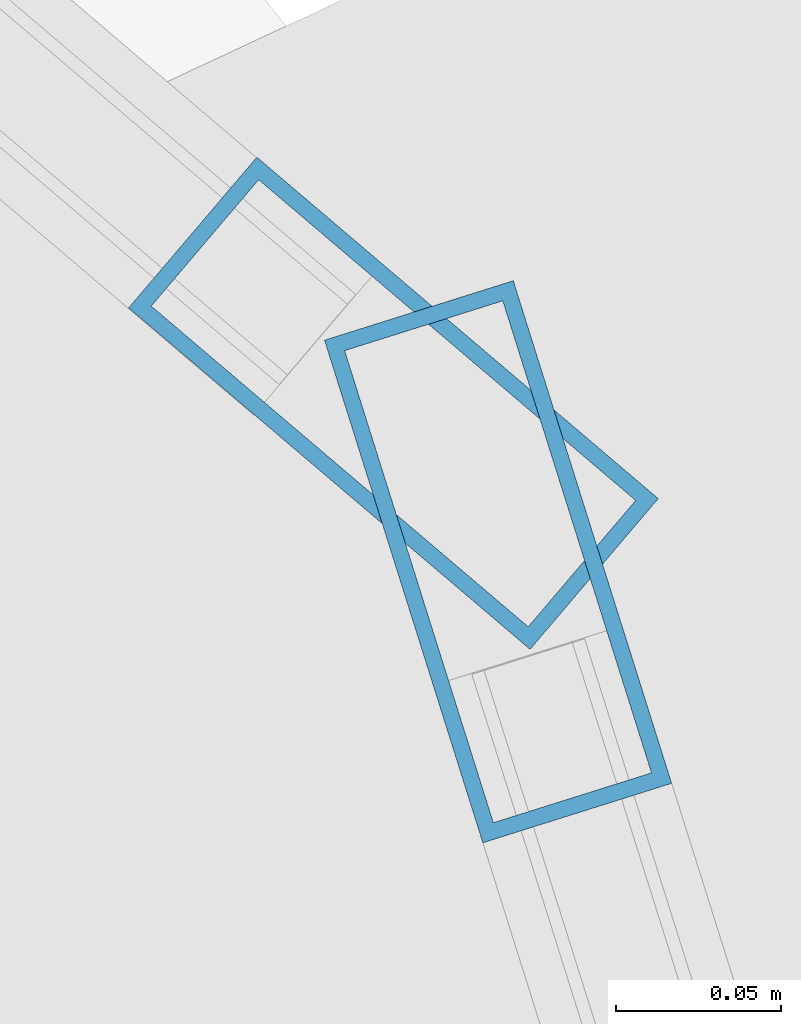
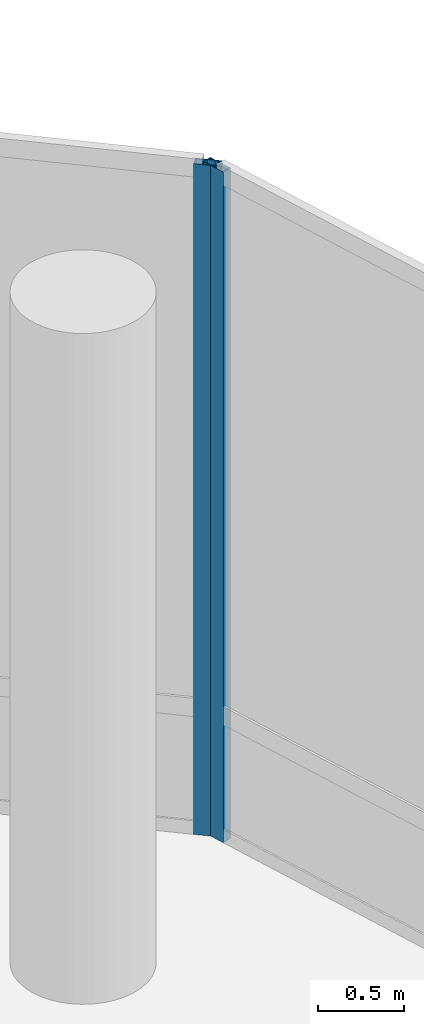
# One storey, part 16 of 31: 2 members, 2 elements without a shape of their own.
"""IFC4 building model written with IfcOpenShell, lengths in metres."""

import ifcopenshell
import ifcopenshell.guid

model = None  # the IFC model being written
_history = None  # IfcOwnerHistory: only IFC2X3 demands one
_inside = {}  # id of a spatial element -> (the spatial element, [elements in it])
_under = {}  # id of a project, library or spatial element -> (it, [spatial elements below it])
_declared = {}  # id of a project -> (the project, [libraries it declares])
_typed = {}  # id of a type object -> (the type object, [elements of that type])
_made_of = {}  # id of a material, layer set ... -> (it, [elements and type objects made of it])


def new_model(schema):
    """Start an empty IFC model of exactly this schema.

    Asked for "IFC4X3", IfcOpenShell would pick the latest addendum, in which some entities
    have other attributes; the version numbers below select the first issue.
    IFC2X3 requires an IfcOwnerHistory on every rooted entity: one is made here for all.
    """
    global model, _history
    if schema == "IFC4X3":
        model = ifcopenshell.file(schema_version=(4, 3, 0, 0))
    else:
        model = ifcopenshell.file(schema=schema)
    _inside.clear()
    _under.clear()
    _declared.clear()
    _typed.clear()
    _made_of.clear()
    _history = None
    if model.schema == "IFC2X3":
        org = make("IfcOrganization", Name="unknown")
        user = make(
            "IfcPersonAndOrganization",
            ThePerson=make("IfcPerson", FamilyName="unknown"),
            TheOrganization=org,
        )
        app = make(
            "IfcApplication",
            ApplicationDeveloper=org,
            Version="unknown",
            ApplicationFullName="unknown",
            ApplicationIdentifier="unknown",
        )
        _history = make(
            "IfcOwnerHistory",
            OwningUser=user,
            OwningApplication=app,
            ChangeAction="ADDED",
            CreationDate=0,
        )
    return model


def make(cls, **values):
    """One entity of the class cls with the attributes given. An attribute that is None is left unset."""
    return model.create_entity(
        cls, **{name: value for name, value in values.items() if value is not None}
    )


def rooted(cls, **values):
    """An entity with a GlobalId (a new one), such as an element, a storey or a relation."""
    return make(cls, GlobalId=ifcopenshell.guid.new(), OwnerHistory=_history, **values)


def si_unit(unit_type, name, prefix=None):
    """IfcSIUnit, for example si_unit("LENGTHUNIT", "METRE", prefix="MILLI")."""
    return make("IfcSIUnit", UnitType=unit_type, Prefix=prefix, Name=name)


def assignment(units):
    """IfcUnitAssignment: the units of a project."""
    return None if units is None else make("IfcUnitAssignment", Units=units)


def point(xyz):
    """IfcCartesianPoint."""
    return None if xyz is None else make("IfcCartesianPoint", Coordinates=xyz)


def direction(xyz):
    """IfcDirection."""
    return None if xyz is None else make("IfcDirection", DirectionRatios=xyz)


def frame(location, z_axis=None, x_axis=None):
    """IfcAxis2Placement3D, a coordinate frame: its origin and axes. An axis left out is left unset."""
    return make(
        "IfcAxis2Placement3D",
        Location=point(location),
        Axis=direction(z_axis),
        RefDirection=direction(x_axis),
    )


def frame_2d(location, x_axis=None):
    """IfcAxis2Placement2D, a coordinate frame in the plane: its origin and x axis."""
    return make(
        "IfcAxis2Placement2D", Location=point(location), RefDirection=direction(x_axis)
    )


def origin():
    """The frame at (0, 0, 0) with its axes left unset."""
    return frame((0.0, 0.0, 0.0))


def origin_2d():
    """The frame at (0, 0) in the plane with its x axis left unset."""
    return frame_2d((0.0, 0.0))


def place(relative_to, where):
    """IfcLocalPlacement: puts the frame where relative to a parent placement (None: the world)."""
    return make(
        "IfcLocalPlacement", PlacementRelTo=relative_to, RelativePlacement=where
    )


def context(
    kind, dimensions, precision=None, world=None, true_north=None, identifier=None
):
    """IfcGeometricRepresentationContext, for example the 3D "Model" context."""
    return make(
        "IfcGeometricRepresentationContext",
        ContextIdentifier=identifier,
        ContextType=kind,
        CoordinateSpaceDimension=dimensions,
        Precision=precision,
        WorldCoordinateSystem=world,
        TrueNorth=true_north,
    )


def subcontext(parent, identifier, kind, view, scale=None):
    """IfcGeometricRepresentationSubContext, for example "Body" below "Model"."""
    return make(
        "IfcGeometricRepresentationSubContext",
        ContextIdentifier=identifier,
        ContextType=kind,
        ParentContext=parent,
        TargetScale=scale,
        TargetView=view,
    )


def project(units=None, contexts=None):
    """IfcProject with its units and contexts."""
    return rooted(
        "IfcProject",
        Name="project",
        RepresentationContexts=contexts,
        UnitsInContext=assignment(units),
    )


def spatial(cls, under=None, at=None, **own):
    """A site, building, storey or space (cls), placed at a placement, below another one or the project."""
    s = rooted(cls, ObjectPlacement=at, **own)
    if under is not None:
        _under.setdefault(under.id(), (under, []))[1].append(s)
    return s


def profile(cls, at=None, kind="AREA", **sizes):
    """A parametric profile (cls). Its sizes go by their IFC names, for example OverallWidth=200.0."""
    return make(cls, ProfileType=kind, Position=at, **sizes)


def hollow_rectangle(**sizes):
    """IfcRectangleHollowProfileDef."""
    return profile("IfcRectangleHollowProfileDef", **sizes)


def extrude(swept, where, along, depth):
    """IfcExtrudedAreaSolid: the profile swept, set in the frame where, extruded along a direction by depth."""
    return make(
        "IfcExtrudedAreaSolid",
        SweptArea=swept,
        Position=where,
        ExtrudedDirection=direction(along),
        Depth=depth,
    )


def shape(context_of_items, identifier, shape_type, items):
    """IfcShapeRepresentation: the items that make up one representation, for example the "Body"."""
    return make(
        "IfcShapeRepresentation",
        ContextOfItems=context_of_items,
        RepresentationIdentifier=identifier,
        RepresentationType=shape_type,
        Items=items,
    )


def material(Name=None, Category=None):
    """IfcMaterial."""
    return make("IfcMaterial", Name=Name, Category=Category)


def layer(
    of_material, thickness, ventilated=None, Name=None, Category=None, Priority=None
):
    """IfcMaterialLayer: one layer of a wall or slab, of a material (None: an air gap)."""
    return make(
        "IfcMaterialLayer",
        Material=of_material,
        LayerThickness=thickness,
        IsVentilated=ventilated,
        Name=Name,
        Category=Category,
        Priority=Priority,
    )


def layer_set(layers, Name=None):
    """IfcMaterialLayerSet."""
    return make("IfcMaterialLayerSet", MaterialLayers=layers, LayerSetName=Name)


def material_profile(
    of_material, cross_section, Name=None, Category=None, Priority=None
):
    """IfcMaterialProfile: a cross section and its material."""
    return make(
        "IfcMaterialProfile",
        Name=Name,
        Material=of_material,
        Profile=cross_section,
        Priority=Priority,
        Category=Category,
    )


def profile_set(profiles, Name=None, composite=None):
    """IfcMaterialProfileSet."""
    return make(
        "IfcMaterialProfileSet",
        Name=Name,
        MaterialProfiles=profiles,
        CompositeProfile=composite,
    )


def made_of(thing, what):
    """Note that an element or type object is made of a material, layer set ...; save() writes the relation."""
    if what is not None:
        _made_of.setdefault(what.id(), (what, []))[1].append(thing)
    return thing


def type_object(cls, material=None, **own):
    """A type object (cls), such as IfcWallType, which elements share."""
    return made_of(rooted(cls, **own), material)


def element(
    cls,
    number,
    at=None,
    inside=None,
    cuts=None,
    type_object=None,
    material=None,
    context=None,
    identifier="Body",
    shape_type=None,
    held_by="IfcProductDefinitionShape",
    body=None,
    shapes=None,
    **own,
):
    """One element of the class cls, such as IfcWall. Its Tag is "e" and its number.

    at: its placement. inside: the storey or other place that contains it. cuts: it is an
    opening in that element (IfcRelVoidsElement). A single representation is given by context,
    identifier, shape_type and body (its items); several are given by shapes. held_by: the class
    of the entity that holds the representations. save() writes the other relations.
    """
    e = rooted(cls, Tag="e%d" % number, ObjectPlacement=at, **own)
    if body is not None:
        shapes = [shape(context, identifier, shape_type, body)]
    if shapes is not None:
        e.Representation = make(held_by, Representations=shapes)
    if inside is not None:
        _inside.setdefault(inside.id(), (inside, []))[1].append(e)
    if cuts is not None:
        rooted(
            "IfcRelVoidsElement", RelatingBuildingElement=cuts, RelatedOpeningElement=e
        )
    if type_object is not None:
        _typed.setdefault(type_object.id(), (type_object, []))[1].append(e)
    return made_of(e, material)


def aggregate(whole, parts):
    """IfcRelAggregates: a whole, such as a stair, and the parts it consists of."""
    return rooted("IfcRelAggregates", RelatingObject=whole, RelatedObjects=parts)


def save(model, path):
    """Write the relations noted so far, then the file.

    IfcRelAggregates (storeys below a building ...), IfcRelContainedInSpatialStructure (elements
    in a storey), IfcRelDefinesByType, IfcRelAssociatesMaterial and IfcRelDeclares: one each for
    every whole, place, type object, material and project.
    """
    for whole, parts in _under.values():
        aggregate(whole, parts)
    for where, things in _inside.values():
        rooted(
            "IfcRelContainedInSpatialStructure",
            RelatedElements=things,
            RelatingStructure=where,
        )
    for kind, things in _typed.values():
        rooted("IfcRelDefinesByType", RelatedObjects=things, RelatingType=kind)
    for what, things in _made_of.values():
        rooted("IfcRelAssociatesMaterial", RelatedObjects=things, RelatingMaterial=what)
    for by, libraries in _declared.values():
        rooted("IfcRelDeclares", RelatingContext=by, RelatedDefinitions=libraries)
    model.write(path)


model = new_model("IFC4")

# Units and contexts
model_context = context("Model", 3, precision=1e-05, world=origin(), true_north=direction((0.0, 1.0)))
body_context = subcontext(model_context, "Body", "Model", "MODEL_VIEW")
ifc_project = project(units=[si_unit("LENGTHUNIT", "METRE"), si_unit("AREAUNIT", "SQUARE_METRE"), si_unit("VOLUMEUNIT", "CUBIC_METRE"), si_unit("PLANEANGLEUNIT", "RADIAN"), si_unit("MASSUNIT", "GRAM", prefix="KILO")], contexts=[model_context])

# Site, building, storey
site_placement = place(None, origin())
site = spatial("IfcSite", under=ifc_project, at=site_placement, CompositionType="ELEMENT")
building_placement = place(site_placement, origin())
building = spatial("IfcBuilding", under=site, at=building_placement, Name="Nuhasar Tower", CompositionType="ELEMENT")
storey_placement = place(building_placement, frame((0.0, 0.0, 203.14990234375)))
storey = spatial("IfcBuildingStorey", under=building, at=storey_placement, Name="L49", CompositionType="ELEMENT", Elevation=203.14990234375)

# Curtain wall, member
ifc_material = material(Name="Aluminium 6063-T6", Category="aluminium")
ifc_layer = layer(ifc_material, 0.239990234375)
ifc_layer_set = layer_set([ifc_layer], Name="Aluminium 6063-T6")
curtain_wall_type = type_object("IfcCurtainWallType", Name="CW-SKY-LBY", PredefinedType="NOTDEFINED", material=ifc_layer_set)
curtain_wall_1_placement = place(storey_placement, origin())
curtain_wall_1 = element("IfcCurtainWall", 1, at=curtain_wall_1_placement, inside=storey, type_object=curtain_wall_type, Name="L49 Unitised Curtain Wall 01", PredefinedType="NOTDEFINED")
ifc_material_profile = material_profile(ifc_material, hollow_rectangle(XDim=0.06005859375, YDim=0.159912109375, WallThickness=0.0048828125, at=origin_2d()), Name="CWM-6")
ifc_profile_set = profile_set([ifc_material_profile], Name="Aluminium 6063-T6")
member_type = type_object("IfcMemberType", Name="CW-MUL-S6", PredefinedType="MULLION", material=ifc_profile_set)
member_1_placement = place(storey_placement, frame((58.719970703125, 36.451416015625, 0.0), z_axis=(0.0, 0.0, 1.0), x_axis=(-0.95380429279, -0.30042864553, 0.0)))
member_1 = element("IfcMember", 2, at=member_1_placement, type_object=member_type, Name="CW-SL mullion 2", PredefinedType="MULLION", context=body_context, shape_type="SweptSolid", body=[
    extrude(hollow_rectangle(XDim=0.06005859375, YDim=0.159912109375, WallThickness=0.0048828125, at=origin_2d()), origin(), (0.0, 0.0, 1.0), 4.760009765625),
])
aggregate(curtain_wall_1, [member_1])

curtain_wall_2_placement = place(storey_placement, origin())
curtain_wall_2 = element("IfcCurtainWall", 3, at=curtain_wall_2_placement, inside=storey, type_object=curtain_wall_type, Name="L49 Unitised Curtain Wall 02", PredefinedType="NOTDEFINED")
member_2_placement = place(storey_placement, frame((58.688232421875, 36.49951171875, 0.0), z_axis=(0.0, 0.0, 1.0), x_axis=(-0.64789521578, -0.761729472562, 0.0)))
member_2 = element("IfcMember", 4, at=member_2_placement, type_object=member_type, Name="CW-SL mullion 1", PredefinedType="MULLION", context=body_context, shape_type="SweptSolid", body=[
    extrude(hollow_rectangle(XDim=0.06005859375, YDim=0.159912109375, WallThickness=0.0048828125, at=origin_2d()), origin(), (0.0, 0.0, 1.0), 4.760009765625),
])
aggregate(curtain_wall_2, [member_2])

save(model, "model.ifc")
